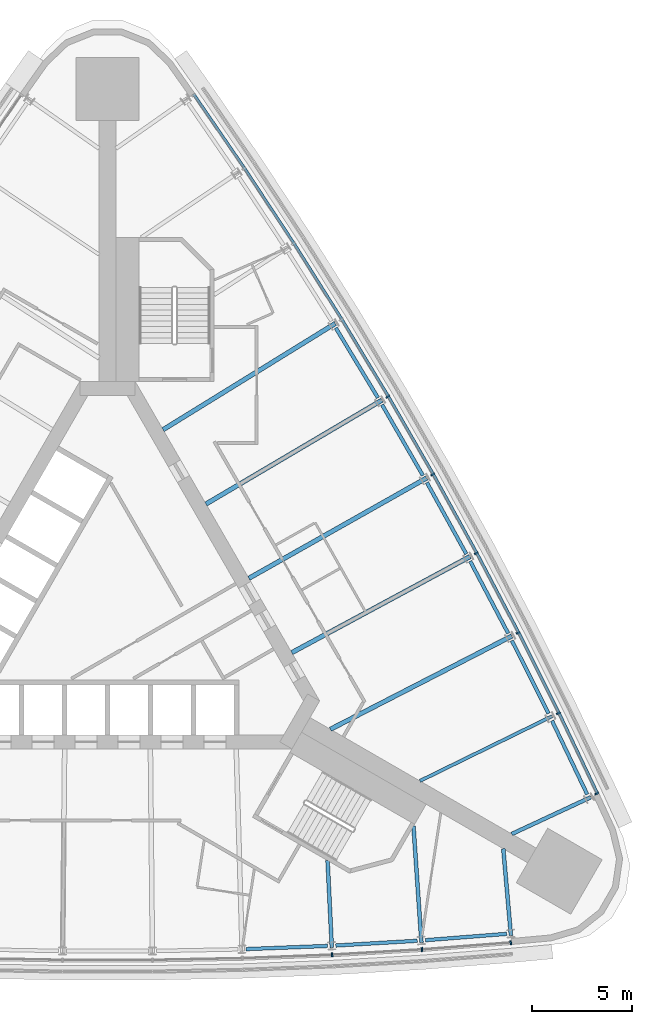
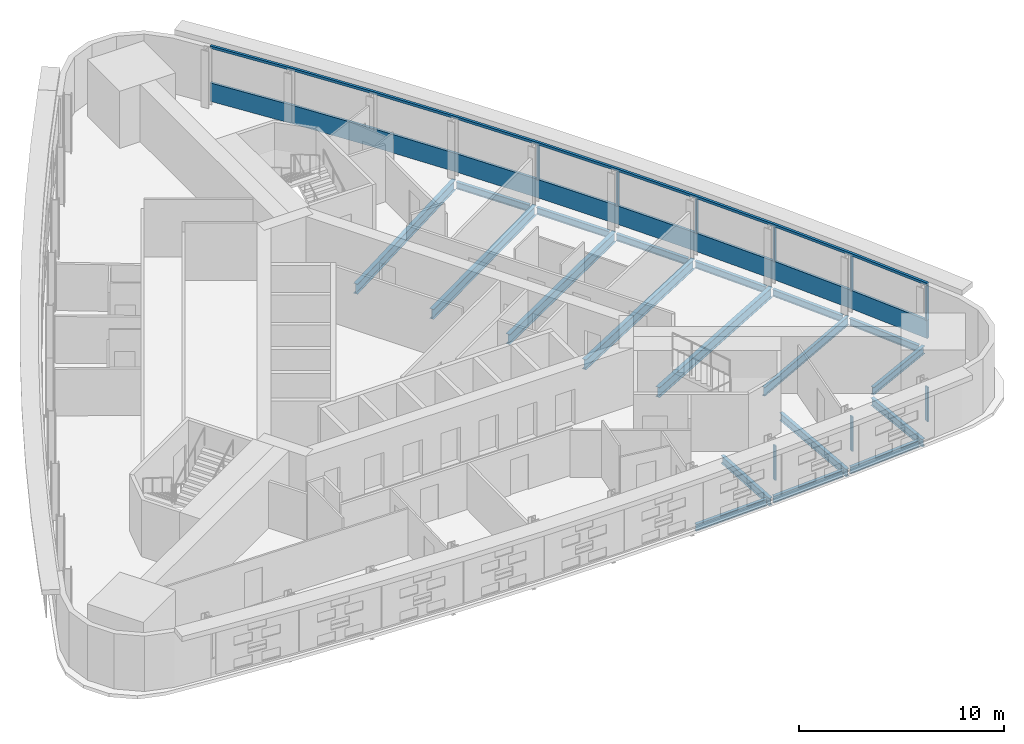
# One storey, part 5 of 13: 19 beams, 11 members, 2 elements without a shape of their own.
"""IFC4 building model written with IfcOpenShell, lengths in metres."""

from ifc_helpers import new_model, si_unit, direction, frame, origin, origin_2d, place, context, subcontext, project, spatial, polyline, rectangle, i_section, outline, extrude, material, material_profile, profile_set, type_object, element, aggregate, save


model = new_model("IFC4")

# Units and contexts
model_context = context("Model", 3, precision=1e-05, world=origin(), true_north=direction((0.0, 1.0)))
body_context = subcontext(model_context, "Body", "Model", "MODEL_VIEW")
ifc_project = project(units=[si_unit("LENGTHUNIT", "METRE"), si_unit("AREAUNIT", "SQUARE_METRE"), si_unit("VOLUMEUNIT", "CUBIC_METRE"), si_unit("PLANEANGLEUNIT", "RADIAN"), si_unit("MASSUNIT", "GRAM", prefix="KILO")], contexts=[model_context])

# Site, building, storey
site_placement = place(None, origin())
site = spatial("IfcSite", under=ifc_project, at=site_placement, CompositionType="ELEMENT")
building_placement = place(site_placement, origin())
building = spatial("IfcBuilding", under=site, at=building_placement, Name="Noor Cloister Tower", CompositionType="ELEMENT")
storey_placement = place(building_placement, frame((0.0, 0.0, 79.800048828125)))
storey = spatial("IfcBuildingStorey", under=building, at=storey_placement, Name="L20", CompositionType="ELEMENT", Elevation=79.800048828125)

# Curtain wall, member
ifc_material_1 = material(Name="Aluminium 6063-T6 anodised", Category="aluminium")
curtain_wall_type = type_object("IfcCurtainWallType", Name="Ribbon curtain wall, lower tower CW1", PredefinedType="NOTDEFINED", material=ifc_material_1)
curtain_wall_1_placement = place(storey_placement, origin())
curtain_wall_1 = element("IfcCurtainWall", 1, at=curtain_wall_1_placement, inside=storey, type_object=curtain_wall_type, Name="CW1 L20 NE run 3", PredefinedType="NOTDEFINED")
ifc_material_2 = material(Name="Aluminium 6063-T6 anodised", Category="aluminium")
member_type_1 = type_object("IfcMemberType", Name="Head transom CW1 150", PredefinedType="USERDEFINED", material=ifc_material_2)
member_1_placement = place(storey_placement, frame((0.0, 0.0, 3.14990234375)))
member_1 = element("IfcMember", 2, at=member_1_placement, type_object=member_type_1, Name="CW1 head transom", ObjectType="TRANSOM", PredefinedType="USERDEFINED", context=body_context, shape_type="SweptSolid", body=[
    extrude(outline(polyline([(24.58837890625, -9.15673828125), (22.648681640625, -5.09619140625), (20.630126953125, -1.074462890625), (18.53369140625, 2.9072265625), (16.360107421875, 6.847412109375), (14.110107421875, 10.744384765625), (11.78466796875, 14.596923828125), (9.384521484375, 18.4033203125), (6.910888671875, 22.162353515625), (4.3642578125, 25.87255859375), (4.248779296875, 25.793212890625), (6.794677734375, 22.084228515625), (9.266845703125, 18.32763671875), (11.66552734375, 14.5234375), (13.989501953125, 10.67333984375), (16.238037109375, 6.778564453125), (18.410400390625, 2.8408203125), (20.505615234375, -1.138427734375), (22.52294921875, -5.157958984375), (24.462158203125, -9.217041015625), (24.58837890625, -9.15673828125)])), origin(), (0.0, 0.0, 1.0), 0.150146484375),
])

# Curtain wall, members
curtain_wall_2_placement = place(storey_placement, origin())
curtain_wall_2 = element("IfcCurtainWall", 3, at=curtain_wall_2_placement, inside=storey, type_object=curtain_wall_type, Name="CW1 L20 S run 2", PredefinedType="NOTDEFINED")
ifc_material_3 = material(Name="Aluminium 6063-T6 anodised", Category="aluminium")
ifc_material_profile_1 = material_profile(ifc_material_3, rectangle(XDim=0.199951171875, YDim=0.080078125, at=origin_2d()), Name="200 x 80 mullion")
ifc_profile_set_1 = profile_set([ifc_material_profile_1], Name="Aluminium 6063-T6 anodised")
member_type_2 = type_object("IfcMemberType", Name="Mullion CW1 80 x 200", PredefinedType="MULLION", material=ifc_profile_set_1)
member_2_placement = place(storey_placement, frame((11.24072265625, -17.22900390625, 1.099853515625), z_axis=(0.0, 0.0, 1.0), x_axis=(-0.048680726574, 0.998814390595, 0.0)))
member_2 = element("IfcMember", 4, at=member_2_placement, type_object=member_type_2, Name="CW1 mullion 8", PredefinedType="MULLION", context=body_context, shape_type="SweptSolid", body=[
    extrude(rectangle(XDim=0.199951171875, YDim=0.080078125, at=origin_2d()), origin(), (0.0, 0.0, 1.0), 2.050048828125),
])
member_3_placement = place(storey_placement, frame((15.73095703125, -16.96630859375, 1.099853515625), z_axis=(0.0, 0.0, 1.0), x_axis=(-0.06812715055, 0.997676646694, 0.0)))
member_3 = element("IfcMember", 5, at=member_3_placement, type_object=member_type_2, Name="CW1 mullion 9", PredefinedType="MULLION", context=body_context, shape_type="SweptSolid", body=[
    extrude(rectangle(XDim=0.199951171875, YDim=0.080078125, at=origin_2d()), origin(), (0.0, 0.0, 1.0), 2.050048828125),
])
member_4_placement = place(storey_placement, frame((20.176513671875, -16.619384765625, 1.099853515625), z_axis=(0.0, 0.0, 1.0), x_axis=(-0.077841137813, 0.996965775372, 0.0)))
member_4 = element("IfcMember", 6, at=member_4_placement, type_object=member_type_2, Name="CW1 mullion 10", PredefinedType="MULLION", context=body_context, shape_type="SweptSolid", body=[
    extrude(rectangle(XDim=0.199951171875, YDim=0.080078125, at=origin_2d()), origin(), (0.0, 0.0, 1.0), 2.050048828125),
])
aggregate(curtain_wall_2, [member_2, member_3, member_4])

# Member
member_5_placement = place(storey_placement, frame((24.48095703125, -9.16357421875, 1.099853515625), z_axis=(0.0, 0.0, 1.0), x_axis=(-0.902318257083, -0.431070484881, 0.0)))
member_5 = element("IfcMember", 7, at=member_5_placement, type_object=member_type_2, Name="CW1 mullion 1", PredefinedType="MULLION", context=body_context, shape_type="SweptSolid", body=[
    extrude(rectangle(XDim=0.199951171875, YDim=0.080078125, at=origin_2d()), origin(), (0.0, 0.0, 1.0), 2.050048828125),
])

member_6_placement = place(storey_placement, frame((22.558837890625, -5.14013671875, 1.099853515625), z_axis=(0.0, 0.0, 1.0), x_axis=(-0.898076896074, -0.439838480283, 0.0)))
member_6 = element("IfcMember", 8, at=member_6_placement, type_object=member_type_2, Name="CW1 mullion 2", PredefinedType="MULLION", context=body_context, shape_type="SweptSolid", body=[
    extrude(rectangle(XDim=0.199951171875, YDim=0.080078125, at=origin_2d()), origin(), (0.0, 0.0, 1.0), 2.050048828125),
])

member_7_placement = place(storey_placement, frame((20.541259765625, -1.1201171875, 1.099853515625), z_axis=(0.0, 0.0, 1.0), x_axis=(-0.889338999208, -0.45724844941, 0.0)))
member_7 = element("IfcMember", 9, at=member_7_placement, type_object=member_type_2, Name="CW1 mullion 3", PredefinedType="MULLION", context=body_context, shape_type="SweptSolid", body=[
    extrude(rectangle(XDim=0.199951171875, YDim=0.080078125, at=origin_2d()), origin(), (0.0, 0.0, 1.0), 2.050048828125),
])

member_8_placement = place(storey_placement, frame((18.445556640625, 2.85986328125, 1.099853515625), z_axis=(0.0, 0.0, 1.0), x_axis=(-0.880263635662, -0.474484912016, 0.0)))
member_8 = element("IfcMember", 10, at=member_8_placement, type_object=member_type_2, Name="CW1 mullion 4", PredefinedType="MULLION", context=body_context, shape_type="SweptSolid", body=[
    extrude(rectangle(XDim=0.199951171875, YDim=0.080078125, at=origin_2d()), origin(), (0.0, 0.0, 1.0), 2.050048828125),
])

member_9_placement = place(storey_placement, frame((16.27294921875, 6.79833984375, 1.099853515625), z_axis=(0.0, 0.0, 1.0), x_axis=(-0.870854249156, -0.491541327589, 0.0)))
member_9 = element("IfcMember", 11, at=member_9_placement, type_object=member_type_2, Name="CW1 mullion 5", PredefinedType="MULLION", context=body_context, shape_type="SweptSolid", body=[
    extrude(rectangle(XDim=0.199951171875, YDim=0.080078125, at=origin_2d()), origin(), (0.0, 0.0, 1.0), 2.050048828125),
])

member_10_placement = place(storey_placement, frame((14.02392578125, 10.693603515625, 1.099853515625), z_axis=(0.0, 0.0, 1.0), x_axis=(-0.86111440128, -0.508411238968, 0.0)))
member_10 = element("IfcMember", 12, at=member_10_placement, type_object=member_type_2, Name="CW1 mullion 6", PredefinedType="MULLION", context=body_context, shape_type="SweptSolid", body=[
    extrude(rectangle(XDim=0.199951171875, YDim=0.080078125, at=origin_2d()), origin(), (0.0, 0.0, 1.0), 2.050048828125),
])

# Beams
ifc_material_4 = material(Name="Steel ASTM A992 Gr 50", Category="steel")
ifc_material_profile_2 = material_profile(ifc_material_4, i_section(OverallWidth=0.19091796875, OverallDepth=0.45703125, WebThickness=0.009033203125, FlangeThickness=0.014404296875, FilletRadius=0.01025390625, at=origin_2d()), Name="W460x74")
ifc_profile_set_2 = profile_set([ifc_material_profile_2], Name="Steel ASTM A992 Gr 50")
beam_type_1 = type_object("IfcBeamType", Name="Radial beam W460x74", PredefinedType="BEAM", material=ifc_profile_set_2)
beam_1_placement = place(storey_placement, frame((11.223388671875, -16.87646484375, -0.428466796875), z_axis=(-0.048678986812, 0.998814475387, 0.0), x_axis=(-0.998814475387, -0.048678986812, 0.0)))
element("IfcBeam", 13, at=beam_1_placement, inside=storey, type_object=beam_type_1, Name="Radial beam S 08 L20", PredefinedType="BEAM", context=body_context, shape_type="SweptSolid", body=[
    extrude(i_section(OverallWidth=0.19091796875, OverallDepth=0.45703125, WebThickness=0.009033203125, FlangeThickness=0.014404296875, FilletRadius=0.01025390625, at=origin_2d()), origin(), (0.0, 0.0, 1.0), 4.36328125),
])
beam_2_placement = place(storey_placement, frame((15.70703125, -16.6142578125, -0.428466796875), z_axis=(-0.068149836713, 0.997675097292, 0.0), x_axis=(-0.997675097292, -0.068149836713, 0.0)))
element("IfcBeam", 14, at=beam_2_placement, inside=storey, type_object=beam_type_1, Name="Radial beam S 09 L20", PredefinedType="BEAM", context=body_context, shape_type="SweptSolid", body=[
    extrude(i_section(OverallWidth=0.19091796875, OverallDepth=0.45703125, WebThickness=0.009033203125, FlangeThickness=0.014404296875, FilletRadius=0.01025390625, at=origin_2d()), origin(), (0.0, 0.0, 1.0), 5.832275390625),
])
for number, where, z_axis, x_axis, name in (
    (15, (20.184326171875, -16.2646484375, -0.428466796875), (-0.087519338878, 0.996162820689, 0.0), (-0.996162820689, -0.087519338878, 0.0), "Radial beam S 10 L20"),
    (16, (24.177734375, -9.347900390625, -0.428466796875), (-0.906477800854, -0.422253474301, 0.0), (0.422253474301, -0.906477800854, 0.0), "Radial beam NE 01 L20"),
):
    element("IfcBeam", number, at=place(storey_placement, frame(where, z_axis=z_axis, x_axis=x_axis)), inside=storey, type_object=beam_type_1, Name=name, PredefinedType="BEAM", context=body_context, shape_type="SweptSolid", body=[
        extrude(i_section(OverallWidth=0.19091796875, OverallDepth=0.45703125, WebThickness=0.009033203125, FlangeThickness=0.014404296875, FilletRadius=0.01025390625, at=origin_2d()), origin(), (0.0, 0.0, 1.0), 4.357177734375),
    ])
ifc_material_5 = material(Name="Steel ASTM A992 Gr 50", Category="steel")
ifc_material_profile_3 = material_profile(ifc_material_5, i_section(OverallWidth=0.166015625, OverallDepth=0.528076171875, WebThickness=0.009765625, FlangeThickness=0.013671875, FilletRadius=0.0126953125, at=origin_2d()), Name="W530x74")
ifc_profile_set_3 = profile_set([ifc_material_profile_3], Name="Steel ASTM A992 Gr 50")
beam_type_2 = type_object("IfcBeamType", Name="Radial beam W530x74", PredefinedType="BEAM", material=ifc_profile_set_3)
beam_3_placement = place(storey_placement, frame((22.24169921875, -5.29541015625, -0.464111328125), z_axis=(-0.898071530651, -0.439849435414, 0.0), x_axis=(0.439849435414, -0.898071530651, 0.0)))
element("IfcBeam", 17, at=beam_3_placement, inside=storey, type_object=beam_type_2, Name="Radial beam NE 02 L20", PredefinedType="BEAM", context=body_context, shape_type="SweptSolid", body=[
    extrude(i_section(OverallWidth=0.166015625, OverallDepth=0.528076171875, WebThickness=0.009765625, FlangeThickness=0.013671875, FilletRadius=0.0126953125, at=origin_2d()), origin(), (0.0, 0.0, 1.0), 7.36181640625),
])
ifc_material_6 = material(Name="Steel ASTM A992 Gr 50", Category="steel")
ifc_material_profile_4 = material_profile(ifc_material_6, i_section(OverallWidth=0.22802734375, OverallDepth=0.60205078125, WebThickness=0.010498046875, FlangeThickness=0.014892578125, FilletRadius=0.0126953125, at=origin_2d()), Name="W610x101")
ifc_profile_set_4 = profile_set([ifc_material_profile_4], Name="Steel ASTM A992 Gr 50")
beam_type_3 = type_object("IfcBeamType", Name="Radial beam W610x101", PredefinedType="BEAM", material=ifc_profile_set_4)
beam_4_placement = place(storey_placement, frame((20.227294921875, -1.281494140625, -0.5009765625), z_axis=(-0.889337003552, -0.4572523309, 0.0), x_axis=(0.4572523309, -0.889337003552, 0.0)))
element("IfcBeam", 18, at=beam_4_placement, inside=storey, type_object=beam_type_3, Name="Radial beam NE 03 L20", PredefinedType="BEAM", context=body_context, shape_type="SweptSolid", body=[
    extrude(i_section(OverallWidth=0.22802734375, OverallDepth=0.60205078125, WebThickness=0.010498046875, FlangeThickness=0.014892578125, FilletRadius=0.0126953125, at=origin_2d()), origin(), (0.0, 0.0, 1.0), 10.205078125),
])
beam_5_placement = place(storey_placement, frame((18.134765625, 2.6923828125, -0.5009765625), z_axis=(-0.880258916422, -0.474493667039, 0.0), x_axis=(0.474493667039, -0.880258916422, 0.0)))
element("IfcBeam", 19, at=beam_5_placement, inside=storey, type_object=beam_type_3, Name="Radial beam NE 04 L20", PredefinedType="BEAM", context=body_context, shape_type="SweptSolid", body=[
    extrude(i_section(OverallWidth=0.22802734375, OverallDepth=0.60205078125, WebThickness=0.010498046875, FlangeThickness=0.014892578125, FilletRadius=0.0126953125, at=origin_2d()), origin(), (0.0, 0.0, 1.0), 10.12744140625),
])
beam_6_placement = place(storey_placement, frame((15.965576171875, 6.624755859375, -0.5009765625), z_axis=(-0.870854352665, -0.491541144203, 0.0), x_axis=(0.491541144203, -0.870854352665, 0.0)))
element("IfcBeam", 20, at=beam_6_placement, inside=storey, type_object=beam_type_3, Name="Radial beam NE 05 L20", PredefinedType="BEAM", context=body_context, shape_type="SweptSolid", body=[
    extrude(i_section(OverallWidth=0.22802734375, OverallDepth=0.60205078125, WebThickness=0.010498046875, FlangeThickness=0.014892578125, FilletRadius=0.0126953125, at=origin_2d()), origin(), (0.0, 0.0, 1.0), 10.21142578125),
])
beam_7_placement = place(storey_placement, frame((13.719970703125, 10.51416015625, -0.5009765625), z_axis=(-0.861116863464, -0.508407068655, 0.0), x_axis=(0.508407068655, -0.861116863464, 0.0)))
element("IfcBeam", 21, at=beam_7_placement, inside=storey, type_object=beam_type_3, Name="Radial beam NE 06 L20", PredefinedType="BEAM", context=body_context, shape_type="SweptSolid", body=[
    extrude(i_section(OverallWidth=0.22802734375, OverallDepth=0.60205078125, WebThickness=0.010498046875, FlangeThickness=0.014892578125, FilletRadius=0.0126953125, at=origin_2d()), origin(), (0.0, 0.0, 1.0), 10.211181640625),
])
beam_8_placement = place(storey_placement, frame((11.399169921875, 14.359130859375, -0.5009765625), z_axis=(-0.851050223373, -0.52508429542, 0.0), x_axis=(0.52508429542, -0.851050223373, 0.0)))
element("IfcBeam", 22, at=beam_8_placement, inside=storey, type_object=beam_type_3, Name="Radial beam NE 07 L20", PredefinedType="BEAM", context=body_context, shape_type="SweptSolid", body=[
    extrude(i_section(OverallWidth=0.22802734375, OverallDepth=0.60205078125, WebThickness=0.010498046875, FlangeThickness=0.014892578125, FilletRadius=0.0126953125, at=origin_2d()), origin(), (0.0, 0.0, 1.0), 10.127685546875),
])

# Member
ifc_material_7 = material(Name="Aluminium 6063-T6 anodised", Category="aluminium")
member_type_3 = type_object("IfcMemberType", Name="Sill transom CW1 1100", PredefinedType="USERDEFINED", material=ifc_material_7)
member_11_placement = place(storey_placement, origin())
member_11 = element("IfcMember", 23, at=member_11_placement, type_object=member_type_3, Name="CW1 sill transom", ObjectType="TRANSOM", PredefinedType="USERDEFINED", context=body_context, shape_type="SweptSolid", body=[
    extrude(outline(polyline([(24.58837890625, -9.15673828125), (22.648681640625, -5.09619140625), (20.630126953125, -1.074462890625), (18.53369140625, 2.9072265625), (16.360107421875, 6.847412109375), (14.110107421875, 10.744384765625), (11.78466796875, 14.596923828125), (9.384521484375, 18.4033203125), (6.910888671875, 22.162353515625), (4.3642578125, 25.87255859375), (4.248779296875, 25.793212890625), (6.794677734375, 22.084228515625), (9.266845703125, 18.32763671875), (11.66552734375, 14.5234375), (13.989501953125, 10.67333984375), (16.238037109375, 6.778564453125), (18.410400390625, 2.8408203125), (20.505615234375, -1.138427734375), (22.52294921875, -5.157958984375), (24.462158203125, -9.217041015625), (24.58837890625, -9.15673828125)])), origin(), (0.0, 0.0, 1.0), 1.099853515625),
])

aggregate(curtain_wall_1, [member_5, member_6, member_7, member_8, member_9, member_10, member_11, member_1])

# Beams
ifc_material_8 = material(Name="Steel ASTM A992 Gr 50", Category="steel")
ifc_material_profile_5 = material_profile(ifc_material_8, i_section(OverallWidth=0.177978515625, OverallDepth=0.406005859375, WebThickness=0.0078125, FlangeThickness=0.0126953125, FilletRadius=0.01025390625, at=origin_2d()), Name="W410x60")
ifc_profile_set_5 = profile_set([ifc_material_profile_5], Name="Steel ASTM A992 Gr 50")
beam_type_4 = type_object("IfcBeamType", Name="Spandrel beam W410x60", PredefinedType="SPANDREL", material=ifc_profile_set_5)
beam_9_placement = place(storey_placement, frame((6.934814453125, -16.946533203125, -0.403076171875), z_axis=(0.999240552609, 0.038965600496, 0.0), x_axis=(-0.038965600496, 0.999240552609, 0.0)))
element("IfcBeam", 24, at=beam_9_placement, inside=storey, type_object=beam_type_4, Name="Spandrel beam S 07 L20", PredefinedType="SPANDREL", context=body_context, shape_type="SweptSolid", body=[
    extrude(i_section(OverallWidth=0.177978515625, OverallDepth=0.406005859375, WebThickness=0.0078125, FlangeThickness=0.0126953125, FilletRadius=0.01025390625, at=origin_2d()), origin(), (0.0, 0.0, 1.0), 4.085205078125),
])
for number, where, z_axis, x_axis, name in (
    (25, (11.42041015625, -16.767822265625, -0.403076171875), (0.998294099213, 0.058385712956, 0.0), (-0.058385712956, 0.998294099213, 0.0), "Spandrel beam S 08 L20"),
    (26, (15.901611328125, -16.501708984375, -0.403076171875), (0.996963808754, 0.077866321573, 0.0), (-0.077866321573, 0.996963808754, 0.0), "Spandrel beam S 09 L20"),
):
    element("IfcBeam", number, at=place(storey_placement, frame(where, z_axis=z_axis, x_axis=x_axis)), inside=storey, type_object=beam_type_4, Name=name, PredefinedType="SPANDREL", context=body_context, shape_type="SweptSolid", body=[
        extrude(i_section(OverallWidth=0.177978515625, OverallDepth=0.406005859375, WebThickness=0.0078125, FlangeThickness=0.0126953125, FilletRadius=0.01025390625, at=origin_2d()), origin(), (0.0, 0.0, 1.0), 4.08544921875),
    ])
for number, where, z_axis, x_axis, name in (
    (27, (24.002685546875, -9.20654296875, -0.403076171875), (-0.43107692405, 0.902315180827, 0.0), (-0.902315180827, -0.43107692405, 0.0), "Spandrel beam NE 01 L20"),
    (28, (22.06396484375, -5.15771484375, -0.403076171875), (-0.448575656489, 0.893744863149, 0.0), (-0.893744863149, -0.448575656489, 0.0), "Spandrel beam NE 02 L20"),
    (29, (20.046875, -1.147216796875, -0.403076171875), (-0.465904062136, 0.884835241661, 0.0), (-0.884835241661, -0.465904062136, 0.0), "Spandrel beam NE 03 L20"),
    (30, (17.951904296875, 2.8232421875, -0.403076171875), (-0.483063123974, 0.875585528807, 0.0), (-0.875585528807, -0.483063123974, 0.0), "Spandrel beam NE 04 L20"),
    (31, (15.780029296875, 6.751953125, -0.403076171875), (-0.500027665724, 0.866009430382, 0.0), (-0.866009430382, -0.500027665724, 0.0), "Spandrel beam NE 05 L20"),
    (32, (13.531982421875, 10.6376953125, -0.403076171875), (-0.516752581522, 0.856134784652, 0.0), (-0.856134784652, -0.516752581522, 0.0), "Spandrel beam NE 06 L20"),
):
    element("IfcBeam", number, at=place(storey_placement, frame(where, z_axis=z_axis, x_axis=x_axis)), inside=storey, type_object=beam_type_4, Name=name, PredefinedType="SPANDREL", context=body_context, shape_type="SweptSolid", body=[
        extrude(i_section(OverallWidth=0.177978515625, OverallDepth=0.406005859375, WebThickness=0.0078125, FlangeThickness=0.0126953125, FilletRadius=0.01025390625, at=origin_2d()), origin(), (0.0, 0.0, 1.0), 4.085205078125),
    ])

save(model, "model.ifc")
